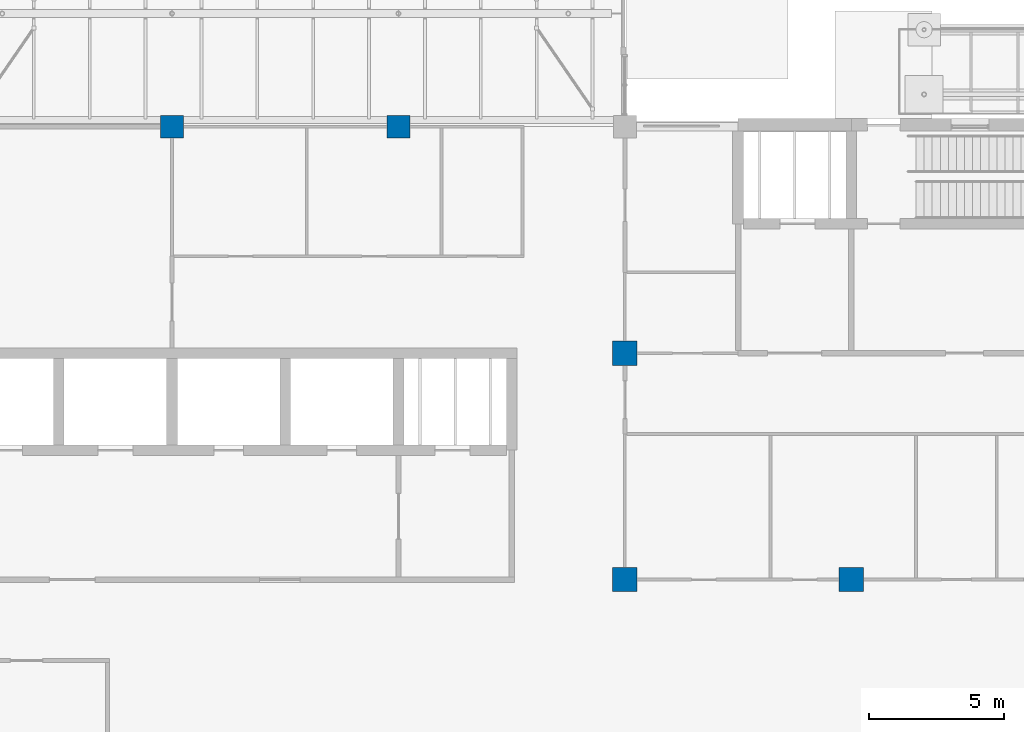
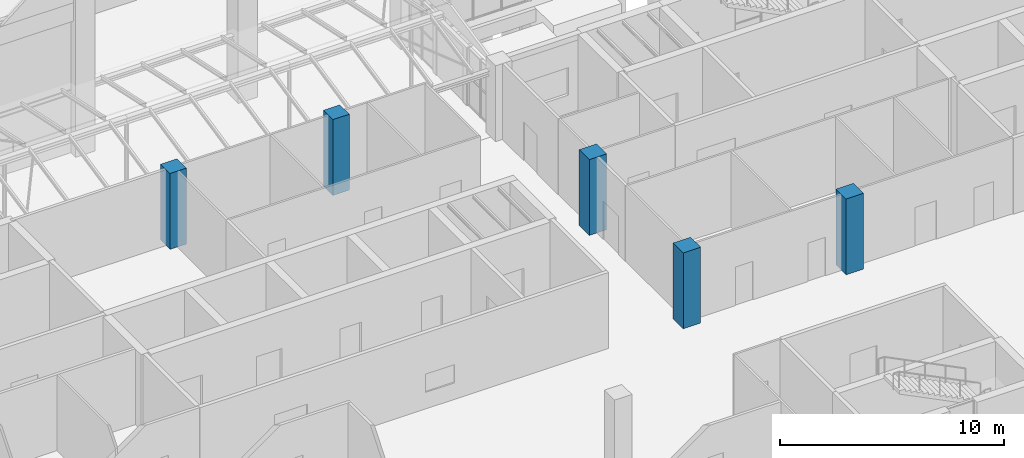
# One storey, part 12 of 138: 5 columns.
"""IFC4 building model written with IfcOpenShell, lengths in metres."""

from ifc_helpers import new_model, si_unit, direction, frame, origin, origin_2d, place, context, subcontext, project, spatial, rectangle, extrude, material, material_profile, profile_set, type_object, element, save


model = new_model("IFC4")

# Units and contexts
model_context = context("Model", 3, precision=1e-05, world=origin(), true_north=direction((0.0, 1.0)))
body_context = subcontext(model_context, "Body", "Model", "MODEL_VIEW")
ifc_project = project(units=[si_unit("LENGTHUNIT", "METRE"), si_unit("AREAUNIT", "SQUARE_METRE"), si_unit("VOLUMEUNIT", "CUBIC_METRE"), si_unit("PLANEANGLEUNIT", "RADIAN"), si_unit("MASSUNIT", "GRAM", prefix="KILO")], contexts=[model_context])

# Site, building, storey
site_placement = place(None, origin())
site = spatial("IfcSite", under=ifc_project, at=site_placement, CompositionType="ELEMENT")
building_placement = place(site_placement, origin())
building = spatial("IfcBuilding", under=site, at=building_placement, Name="Yavir Park General Hospital", CompositionType="ELEMENT")
storey_placement = place(building_placement, origin())
storey = spatial("IfcBuildingStorey", under=building, at=storey_placement, Name="L00", CompositionType="ELEMENT", Elevation=0.0)

# Columns
ifc_material_1 = material(Name="Concrete C40/50", Category="concrete")
ifc_material_profile_1 = material_profile(ifc_material_1, rectangle(XDim=0.85009765625, YDim=0.85009765625, at=origin_2d()), Name="RC850x850")
ifc_profile_set_1 = profile_set([ifc_material_profile_1], Name="Concrete C40/50")
column_type_1 = type_object("IfcColumnType", Name="RC COLUMN 850x850", PredefinedType="COLUMN", material=ifc_profile_set_1)
for number, where, z_axis, x_axis, name in (
    (1, (84.0, 33.60009765625, 0.0), (0.0, 0.0, 1.0), (1.0, 0.0, 0.0), "C:L00:11E"),
    (2, (92.39990234375, 33.60009765625, 0.0), (0.0, 0.0, 1.0), (1.0, 0.0, 0.0), "C:L00:12E"),
):
    element("IfcColumn", number, at=place(storey_placement, frame(where, z_axis=z_axis, x_axis=x_axis)), inside=storey, type_object=column_type_1, Name=name, PredefinedType="COLUMN", context=body_context, shape_type="SweptSolid", body=[
        extrude(rectangle(XDim=0.85009765625, YDim=0.85009765625, at=origin_2d()), origin(), (0.0, 0.0, 1.0), 4.139892578125),
    ])
ifc_material_2 = material(Name="Concrete C40/50", Category="concrete")
ifc_material_profile_2 = material_profile(ifc_material_2, rectangle(XDim=0.89990234375, YDim=0.89990234375, at=origin_2d()), Name="RC900x900")
ifc_profile_set_2 = profile_set([ifc_material_profile_2], Name="Concrete C40/50")
column_type_2 = type_object("IfcColumnType", Name="RC COLUMN 900x900", PredefinedType="COLUMN", material=ifc_profile_set_2)
for number, where, z_axis, x_axis, name in (
    (3, (100.800048828125, 16.800048828125, 0.0), (0.0, 0.0, 1.0), (1.0, 0.0, 0.0), "C:L00:13C"),
    (4, (109.199951171875, 16.800048828125, 0.0), (0.0, 0.0, 1.0), (1.0, 0.0, 0.0), "C:L00:14C"),
    (5, (100.800048828125, 25.199951171875, 0.0), (0.0, 0.0, 1.0), (1.0, 0.0, 0.0), "C:L00:13D"),
):
    element("IfcColumn", number, at=place(storey_placement, frame(where, z_axis=z_axis, x_axis=x_axis)), inside=storey, type_object=column_type_2, Name=name, PredefinedType="COLUMN", context=body_context, shape_type="SweptSolid", body=[
        extrude(rectangle(XDim=0.89990234375, YDim=0.89990234375, at=origin_2d()), origin(), (0.0, 0.0, 1.0), 4.139892578125),
    ])

save(model, "model.ifc")
